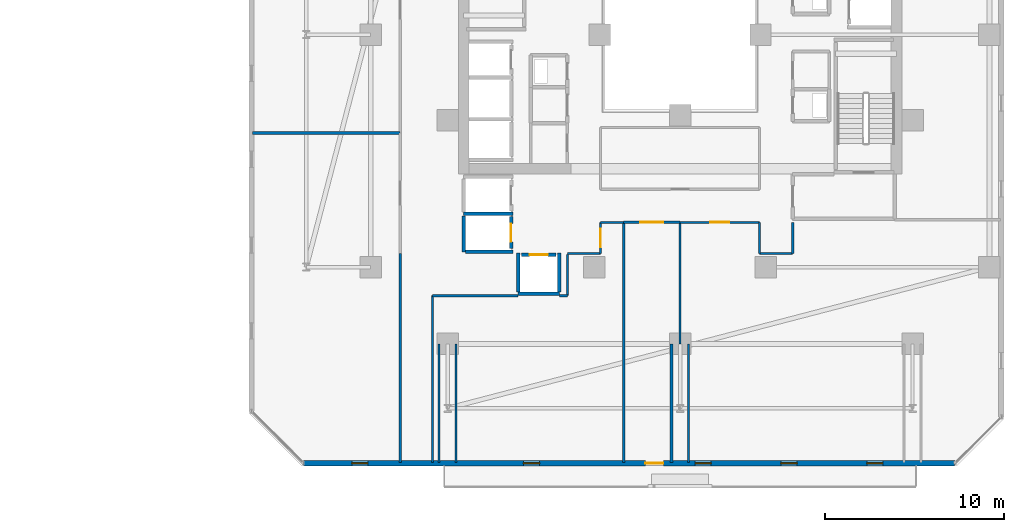
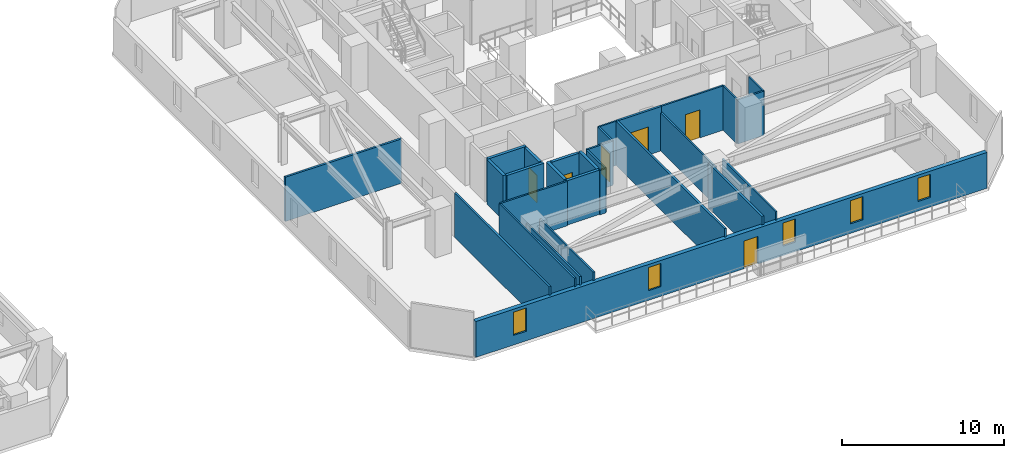
# One storey, part 23 of 33: 29 walls, 6 doors, 5 windows, 11 openings.
"""IFC4 building model written with IfcOpenShell, lengths in metres."""

from ifc_helpers import new_model, si_unit, direction, frame, frame_2d, origin, place, context, subcontext, project, spatial, rectangle, extrude, material, layer, layer_set, type_object, element, fill, save


model = new_model("IFC4")

# Units and contexts
model_context = context("Model", 3, precision=1e-05, world=origin(), true_north=direction((0.0, 1.0)))
body_context = subcontext(model_context, "Body", "Model", "MODEL_VIEW")
ifc_project = project(units=[si_unit("LENGTHUNIT", "METRE"), si_unit("AREAUNIT", "SQUARE_METRE"), si_unit("VOLUMEUNIT", "CUBIC_METRE"), si_unit("PLANEANGLEUNIT", "RADIAN"), si_unit("MASSUNIT", "GRAM", prefix="KILO")], contexts=[model_context])

# Site, building, storey
site_placement = place(None, origin())
site = spatial("IfcSite", under=ifc_project, at=site_placement, CompositionType="ELEMENT")
building_placement = place(site_placement, origin())
building = spatial("IfcBuilding", under=site, at=building_placement, Name="Thornwick Lancets Civic Towers", CompositionType="ELEMENT")
storey_placement = place(building_placement, frame((0.0, 0.0, 112.5)))
storey = spatial("IfcBuildingStorey", under=building, at=storey_placement, Name="L29", CompositionType="ELEMENT", Elevation=112.5)

# Wall, opening, door
ifc_material_1 = material(Name="Concrete blockwork C40/50", Category="masonry")
ifc_layer_1 = layer(ifc_material_1, 0.199951171875, Name="Concrete blockwork C40/50")
ifc_layer_set_1 = layer_set([ifc_layer_1], Name="Concrete blockwork C40/50")
wall_type_1 = type_object("IfcWallType", Name="WALL_COMP_200", PredefinedType="STANDARD", material=ifc_layer_set_1)
wall_1_placement = place(storey_placement, frame((79.050048828125, 15.030029296875, 0.0), z_axis=(0.0, 0.0, 1.0), x_axis=(0.0, 1.0, 0.0)))
wall_1 = element("IfcWall", 1, at=wall_1_placement, inside=storey, type_object=wall_type_1, Name="L29 Hoistway Front Wall PL-BM2", PredefinedType="STANDARD", context=body_context, shape_type="SweptSolid", body=[
    extrude(rectangle(XDim=1.7900390625, YDim=0.199951171875, at=frame_2d((0.89501953125, 0.0))), origin(), (0.0, 0.0, 1.0), 3.340087890625),
])
opening_1_placement = place(wall_1_placement, frame((0.385009765625, 0.0, 0.0)))
opening_1 = element("IfcOpeningElement", 2, at=opening_1_placement, cuts=wall_1, Name="Opening LD-PL-BM2", PredefinedType="OPENING", context=body_context, shape_type="SweptSolid", body=[
    extrude(rectangle(XDim=1.02001953125, YDim=2.06005859375, at=frame_2d((0.510009765625, 1.030029296875))), frame((0.0, 0.10986328125, 0.0), z_axis=(0.0, -1.0, 0.0), x_axis=(1.0, 0.0, 0.0)), (0.0, 0.0, 1.0), 0.219970703125),
])
ifc_material_2 = material(Name="Brushed bronze stainless steel", Category="steel")
door_type_1 = type_object("IfcDoorType", Name="DOOR_LIFT_SLIDE", OperationType="SLIDING_TO_LEFT", PredefinedType="DOOR", material=ifc_material_2)
door_1_placement = place(opening_1_placement, origin())
door_1 = element("IfcDoor", 3, at=door_1_placement, inside=storey, type_object=door_type_1, Name="L29 Sliding Lift Landing Door LD-PL-BM2", OperationType="SLIDING_TO_LEFT", OverallHeight=2.06005859375, OverallWidth=1.02001953125, PredefinedType="DOOR", context=body_context, shape_type="SweptSolid", body=[
    extrude(rectangle(XDim=1.02001953125, YDim=2.06005859375, at=frame_2d((0.510009765625, 1.030029296875))), frame((0.0, 0.02490234375, 0.0), z_axis=(0.0, -1.0, 0.0), x_axis=(1.0, 0.0, 0.0)), (0.0, 0.0, 1.0), 0.050048828125),
])
fill(opening_1, door_1)

wall_2_placement = place(storey_placement, frame((79.6298828125, 14.699951171875, 0.0), z_axis=(0.0, 0.0, 1.0), x_axis=(1.0, 0.0, 0.0)))
wall_2 = element("IfcWall", 4, at=wall_2_placement, inside=storey, type_object=wall_type_1, Name="L29 Hoistway Front Wall PL-BM3", PredefinedType="STANDARD", context=body_context, shape_type="SweptSolid", body=[
    extrude(rectangle(XDim=1.940185546875, YDim=0.199951171875, at=frame_2d((0.97021484375, 0.0))), origin(), (0.0, 0.0, 1.0), 3.340087890625),
])
opening_2_placement = place(wall_2_placement, frame((0.4599609375, 0.0, 0.0)))
opening_2 = element("IfcOpeningElement", 5, at=opening_2_placement, cuts=wall_2, Name="Opening LD-PL-BM3", PredefinedType="OPENING", context=body_context, shape_type="SweptSolid", body=[
    extrude(rectangle(XDim=1.02001953125, YDim=2.06005859375, at=frame_2d((0.510009765625, 1.030029296875))), frame((0.0, 0.10986328125, 0.0), z_axis=(0.0, -1.0, 0.0), x_axis=(1.0, 0.0, 0.0)), (0.0, 0.0, 1.0), 0.219970703125),
])
door_2_placement = place(opening_2_placement, origin())
door_2 = element("IfcDoor", 6, at=door_2_placement, inside=storey, type_object=door_type_1, Name="L29 Sliding Lift Landing Door LD-PL-BM3", OperationType="SLIDING_TO_LEFT", OverallHeight=2.06005859375, OverallWidth=1.02001953125, PredefinedType="DOOR", context=body_context, shape_type="SweptSolid", body=[
    extrude(rectangle(XDim=1.02001953125, YDim=2.06005859375, at=frame_2d((0.510009765625, 1.030029296875))), frame((0.0, 0.02490234375, 0.0), z_axis=(0.0, -1.0, 0.0), x_axis=(1.0, 0.0, 0.0)), (0.0, 0.0, 1.0), 0.050048828125),
])
fill(opening_2, door_2)

# Walls
wall_3_placement = place(storey_placement, frame((76.402099609375, 16.97509765625, 0.0), z_axis=(0.0, 0.0, 1.0), x_axis=(1.0, 0.0, 0.0)))
element("IfcWall", 7, at=wall_3_placement, inside=storey, type_object=wall_type_1, Name="L29 Hoistway Shaft Wall PL-BM1 S", PredefinedType="STANDARD", context=body_context, shape_type="SweptSolid", body=[
    extrude(rectangle(XDim=2.745849609375, YDim=0.199951171875, at=frame_2d((1.373046875, 0.0))), origin(), (0.0, 0.0, 1.0), 3.340087890625),
])
wall_4_placement = place(storey_placement, frame((76.39990234375, 14.85205078125, 0.0), z_axis=(0.0, 0.0, 1.0), x_axis=(0.0, 1.0, 0.0)))
element("IfcWall", 8, at=wall_4_placement, inside=storey, type_object=wall_type_1, Name="L29 Hoistway Shaft Wall PL-BM1 W", PredefinedType="STANDARD", context=body_context, shape_type="SweptSolid", body=[
    extrude(rectangle(XDim=2.015869140625, YDim=0.199951171875, at=frame_2d((1.0078125, 0.0))), origin(), (0.0, 0.0, 1.0), 3.340087890625),
])
wall_5_placement = place(storey_placement, frame((76.511962890625, 14.85009765625, 0.0), z_axis=(0.0, 0.0, 1.0), x_axis=(1.0, 0.0, 0.0)))
element("IfcWall", 9, at=wall_5_placement, inside=storey, type_object=wall_type_1, Name="L29 Hoistway Shaft Wall PL-BM2 S", PredefinedType="STANDARD", context=body_context, shape_type="SweptSolid", body=[
    extrude(rectangle(XDim=2.635986328125, YDim=0.199951171875, at=frame_2d((1.31787109375, 0.0))), origin(), (0.0, 0.0, 1.0), 3.340087890625),
])
wall_6_placement = place(storey_placement, frame((79.451904296875, 12.5, 0.0), z_axis=(0.0, 0.0, 1.0), x_axis=(1.0, 0.0, 0.0)))
element("IfcWall", 10, at=wall_6_placement, inside=storey, type_object=wall_type_1, Name="L29 Hoistway Shaft Wall PL-BM3 S", PredefinedType="STANDARD", context=body_context, shape_type="SweptSolid", body=[
    extrude(rectangle(XDim=2.296142578125, YDim=0.199951171875, at=frame_2d((1.14794921875, 0.0))), origin(), (0.0, 0.0, 1.0), 3.340087890625),
])
for number, where, z_axis, x_axis, name in (
    (11, (81.75, 12.612060546875, 0.0), (0.0, 0.0, 1.0), (0.0, 1.0, 0.0), "L29 Hoistway Shaft Wall PL-BM3 E"),
    (12, (79.449951171875, 12.612060546875, 0.0), (0.0, 0.0, 1.0), (0.0, 1.0, 0.0), "L29 Hoistway Shaft Wall PL-BM3 W"),
):
    element("IfcWall", number, at=place(storey_placement, frame(where, z_axis=z_axis, x_axis=x_axis)), inside=storey, type_object=wall_type_1, Name=name, PredefinedType="STANDARD", context=body_context, shape_type="SweptSolid", body=[
        extrude(rectangle(XDim=2.18603515625, YDim=0.199951171875, at=frame_2d((1.093017578125, 0.0))), origin(), (0.0, 0.0, 1.0), 3.340087890625),
    ])

# Wall, openings, door, windows
ifc_material_3 = material(Name="Insulated russet terracotta rainscreen on concrete C40/50", Category="masonry")
ifc_layer_2 = layer(ifc_material_3, 0.300048828125, Name="Insulated russet terracotta rainscreen on concrete C40/50")
ifc_layer_set_2 = layer_set([ifc_layer_2], Name="Insulated russet terracotta rainscreen on concrete C40/50")
wall_type_2 = type_object("IfcWallType", Name="WALL_EXT_RUSSET_300", PredefinedType="STANDARD", material=ifc_layer_set_2)
wall_7_placement = place(storey_placement, frame((67.444580078125, 3.036376953125, 0.0), z_axis=(0.0, 0.0, 1.0), x_axis=(0.999999999641, -2.6801568e-05, 0.0)))
wall_7 = element("IfcWall", 13, at=wall_7_placement, inside=storey, type_object=wall_type_2, Name="L29 Tower B Terracotta Facade Wall E0", PredefinedType="STANDARD", context=body_context, shape_type="SweptSolid", body=[
    extrude(rectangle(XDim=36.436767578125, YDim=0.300048828125, at=frame_2d((18.21826171875, 0.0))), origin(), (0.0, 0.0, 1.0), 2.699951171875),
])
opening_3_placement = place(wall_7_placement, frame((19.118408203125, 0.0, 0.0)))
opening_3 = element("IfcOpeningElement", 14, at=opening_3_placement, cuts=wall_7, Name="Opening D-BL-L29-BS", PredefinedType="OPENING", context=body_context, shape_type="SweptSolid", body=[
    extrude(rectangle(XDim=1.0, YDim=2.080078125, at=frame_2d((0.5, 1.0400390625))), frame((0.0, 0.16015625, 0.0), z_axis=(0.0, -1.0, 0.0), x_axis=(1.0, 0.0, 0.0)), (0.0, 0.0, 1.0), 0.320068359375),
])
opening_4_placement = place(wall_7_placement, frame((2.699951171875, 0.0, 0.719970703125)))
opening_4 = element("IfcOpeningElement", 15, at=opening_4_placement, cuts=wall_7, Name="Opening WL-01", PredefinedType="OPENING", context=body_context, shape_type="SweptSolid", body=[
    extrude(rectangle(XDim=0.89990234375, YDim=1.75, at=frame_2d((0.449951171875, 0.875))), frame((0.0, 0.16015625, 0.0), z_axis=(0.0, -1.0, 0.0), x_axis=(1.0, 0.0, 0.0)), (0.0, 0.0, 1.0), 0.320068359375),
])
opening_5_placement = place(wall_7_placement, frame((12.300048828125, 0.0, 0.719970703125)))
opening_5 = element("IfcOpeningElement", 16, at=opening_5_placement, cuts=wall_7, Name="Opening WL-01", PredefinedType="OPENING", context=body_context, shape_type="SweptSolid", body=[
    extrude(rectangle(XDim=0.89990234375, YDim=1.75, at=frame_2d((0.449951171875, 0.875))), frame((0.0, 0.16015625, 0.0), z_axis=(0.0, -1.0, 0.0), x_axis=(1.0, 0.0, 0.0)), (0.0, 0.0, 1.0), 0.320068359375),
])
opening_6_placement = place(wall_7_placement, frame((21.89990234375, 0.0, 0.719970703125)))
opening_6 = element("IfcOpeningElement", 17, at=opening_6_placement, cuts=wall_7, Name="Opening WL-01", PredefinedType="OPENING", context=body_context, shape_type="SweptSolid", body=[
    extrude(rectangle(XDim=0.89990234375, YDim=1.75, at=frame_2d((0.449951171875, 0.875))), frame((0.0, 0.16015625, 0.0), z_axis=(0.0, -1.0, 0.0), x_axis=(1.0, 0.0, 0.0)), (0.0, 0.0, 1.0), 0.320068359375),
])
opening_7_placement = place(wall_7_placement, frame((26.699951171875, 0.0, 0.719970703125)))
opening_7 = element("IfcOpeningElement", 18, at=opening_7_placement, cuts=wall_7, Name="Opening WL-01", PredefinedType="OPENING", context=body_context, shape_type="SweptSolid", body=[
    extrude(rectangle(XDim=0.89990234375, YDim=1.75, at=frame_2d((0.449951171875, 0.875))), frame((0.0, 0.16015625, 0.0), z_axis=(0.0, -1.0, 0.0), x_axis=(1.0, 0.0, 0.0)), (0.0, 0.0, 1.0), 0.320068359375),
])
opening_8_placement = place(wall_7_placement, frame((31.5, 0.0, 0.719970703125)))
opening_8 = element("IfcOpeningElement", 19, at=opening_8_placement, cuts=wall_7, Name="Opening WL-01", PredefinedType="OPENING", context=body_context, shape_type="SweptSolid", body=[
    extrude(rectangle(XDim=0.89990234375, YDim=1.75, at=frame_2d((0.449951171875, 0.875))), frame((0.0, 0.16015625, 0.0), z_axis=(0.0, -1.0, 0.0), x_axis=(1.0, 0.0, 0.0)), (0.0, 0.0, 1.0), 0.320068359375),
])
ifc_material_4 = material(Name="Thermally broken glazed loggia doorset")
door_type_2 = type_object("IfcDoorType", Name="DOOR_BALC_1000", OperationType="NOTDEFINED", PredefinedType="DOOR", material=ifc_material_4)
door_3_placement = place(opening_3_placement, origin())
door_3 = element("IfcDoor", 20, at=door_3_placement, inside=storey, type_object=door_type_2, Name="L29 Tower B Loggia Balcony Door S", OperationType="SINGLE_SWING_RIGHT", OverallHeight=2.080078125, OverallWidth=1.0, PredefinedType="DOOR", context=body_context, shape_type="SweptSolid", body=[
    extrude(rectangle(XDim=1.0, YDim=2.080078125, at=frame_2d((0.5, 1.0400390625))), frame((0.0, 0.02490234375, 0.0), z_axis=(0.0, -1.0, 0.0), x_axis=(1.0, 0.0, 0.0)), (0.0, 0.0, 1.0), 0.050048828125),
])
fill(opening_3, door_3)
ifc_material_5 = material(Name="Clear low-e double glazing in bronze frame", Category="glass")
window_type = type_object("IfcWindowType", Name="WIN_LANCET_900", PartitioningType="SINGLE_PANEL", PredefinedType="WINDOW", material=ifc_material_5)
window_1_placement = place(opening_4_placement, origin())
window_1 = element("IfcWindow", 21, at=window_1_placement, inside=storey, type_object=window_type, Name="L29 Tower B Staggered Lancet Window E0-1", OverallHeight=1.75, OverallWidth=0.89990234375, PartitioningType="SINGLE_PANEL", PredefinedType="WINDOW", context=body_context, shape_type="SweptSolid", body=[
    extrude(rectangle(XDim=0.89990234375, YDim=1.75, at=frame_2d((0.449951171875, 0.875))), frame((0.0, 0.030029296875, 0.0), z_axis=(0.0, -1.0, 0.0), x_axis=(1.0, 0.0, 0.0)), (0.0, 0.0, 1.0), 0.06005859375),
])
fill(opening_4, window_1)
window_2_placement = place(opening_5_placement, origin())
window_2 = element("IfcWindow", 22, at=window_2_placement, inside=storey, type_object=window_type, Name="L29 Tower B Staggered Lancet Window E0-2", OverallHeight=1.75, OverallWidth=0.89990234375, PartitioningType="SINGLE_PANEL", PredefinedType="WINDOW", context=body_context, shape_type="SweptSolid", body=[
    extrude(rectangle(XDim=0.89990234375, YDim=1.75, at=frame_2d((0.449951171875, 0.875))), frame((0.0, 0.030029296875, 0.0), z_axis=(0.0, -1.0, 0.0), x_axis=(1.0, 0.0, 0.0)), (0.0, 0.0, 1.0), 0.06005859375),
])
fill(opening_5, window_2)
window_3_placement = place(opening_6_placement, origin())
window_3 = element("IfcWindow", 23, at=window_3_placement, inside=storey, type_object=window_type, Name="L29 Tower B Staggered Lancet Window E0-3", OverallHeight=1.75, OverallWidth=0.89990234375, PartitioningType="SINGLE_PANEL", PredefinedType="WINDOW", context=body_context, shape_type="SweptSolid", body=[
    extrude(rectangle(XDim=0.89990234375, YDim=1.75, at=frame_2d((0.449951171875, 0.875))), frame((0.0, 0.030029296875, 0.0), z_axis=(0.0, -1.0, 0.0), x_axis=(1.0, 0.0, 0.0)), (0.0, 0.0, 1.0), 0.06005859375),
])
fill(opening_6, window_3)
window_4_placement = place(opening_7_placement, origin())
window_4 = element("IfcWindow", 24, at=window_4_placement, inside=storey, type_object=window_type, Name="L29 Tower B Staggered Lancet Window E0-4", OverallHeight=1.75, OverallWidth=0.89990234375, PartitioningType="SINGLE_PANEL", PredefinedType="WINDOW", context=body_context, shape_type="SweptSolid", body=[
    extrude(rectangle(XDim=0.89990234375, YDim=1.75, at=frame_2d((0.449951171875, 0.875))), frame((0.0, 0.030029296875, 0.0), z_axis=(0.0, -1.0, 0.0), x_axis=(1.0, 0.0, 0.0)), (0.0, 0.0, 1.0), 0.06005859375),
])
fill(opening_7, window_4)
window_5_placement = place(opening_8_placement, origin())
window_5 = element("IfcWindow", 25, at=window_5_placement, inside=storey, type_object=window_type, Name="L29 Tower B Staggered Lancet Window E0-5", OverallHeight=1.75, OverallWidth=0.89990234375, PartitioningType="SINGLE_PANEL", PredefinedType="WINDOW", context=body_context, shape_type="SweptSolid", body=[
    extrude(rectangle(XDim=0.89990234375, YDim=1.75, at=frame_2d((0.449951171875, 0.875))), frame((0.0, 0.030029296875, 0.0), z_axis=(0.0, -1.0, 0.0), x_axis=(1.0, 0.0, 0.0)), (0.0, 0.0, 1.0), 0.06005859375),
])
fill(opening_8, window_5)

# Walls
ifc_material_6 = material(Name="Acoustic gypsum board partition")
ifc_layer_3 = layer(ifc_material_6, 0.1201171875, Name="Acoustic gypsum board partition")
ifc_layer_set_3 = layer_set([ifc_layer_3], Name="Acoustic gypsum board partition")
wall_type_3 = type_object("IfcWallType", Name="WALL_PART_120", PredefinedType="PARTITIONING", material=ifc_layer_set_3)
wall_8_placement = place(storey_placement, frame((92.949951171875, 16.5, 0.0), z_axis=(0.0, 0.0, 1.0), x_axis=(0.0, -1.0, 0.0)))
element("IfcWall", 26, at=wall_8_placement, inside=storey, type_object=wall_type_3, Name="L29 Partition L29-B-W1 E1", PredefinedType="PARTITIONING", context=body_context, shape_type="SweptSolid", body=[
    extrude(rectangle(XDim=1.75, YDim=0.1201171875, at=frame_2d((0.875, 0.0))), origin(), (0.0, 0.0, 1.0), 3.340087890625),
])
wall_9_placement = place(storey_placement, frame((92.949951171875, 14.75, 0.0), z_axis=(0.0, 0.0, 1.0), x_axis=(1.0, 0.0, 0.0)))
element("IfcWall", 27, at=wall_9_placement, inside=storey, type_object=wall_type_3, Name="L29 Partition L29-B-W1 E2", PredefinedType="PARTITIONING", context=body_context, shape_type="SweptSolid", body=[
    extrude(rectangle(XDim=1.85009765625, YDim=0.1201171875, at=frame_2d((0.925048828125, 0.0))), origin(), (0.0, 0.0, 1.0), 3.340087890625),
])
wall_10_placement = place(storey_placement, frame((94.800048828125, 14.75, 0.0), z_axis=(0.0, 0.0, 1.0), x_axis=(0.0, 1.0, 0.0)))
element("IfcWall", 28, at=wall_10_placement, inside=storey, type_object=wall_type_3, Name="L29 Partition L29-B-W1 E3", PredefinedType="PARTITIONING", context=body_context, shape_type="SweptSolid", body=[
    extrude(rectangle(XDim=1.75, YDim=0.1201171875, at=frame_2d((0.875, 0.0))), origin(), (0.0, 0.0, 1.0), 3.340087890625),
])
wall_11_placement = place(storey_placement, frame((88.97998046875, 3.080078125, 0.0), z_axis=(0.0, 0.0, 1.0), x_axis=(0.0, 1.0, 0.0)))
element("IfcWall", 29, at=wall_11_placement, inside=storey, type_object=wall_type_3, Name="L29 Partition L29-B-W1 E17", PredefinedType="PARTITIONING", context=body_context, shape_type="SweptSolid", body=[
    extrude(rectangle(XDim=6.619873046875, YDim=0.1201171875, at=frame_2d((3.31005859375, 0.0))), origin(), (0.0, 0.0, 1.0), 3.340087890625),
])
wall_12_placement = place(storey_placement, frame((88.5, 9.699951171875, 0.0), z_axis=(0.0, 0.0, 1.0), x_axis=(0.0, 1.0, 0.0)))
element("IfcWall", 30, at=wall_12_placement, inside=storey, type_object=wall_type_3, Name="L29 Partition L29-B-W1 E19", PredefinedType="PARTITIONING", context=body_context, shape_type="SweptSolid", body=[
    extrude(rectangle(XDim=6.800048828125, YDim=0.1201171875, at=frame_2d((3.39990234375, 0.0))), origin(), (0.0, 0.0, 1.0), 2.881591796875),
])

# Wall, opening, door
wall_13_placement = place(storey_placement, frame((88.5, 16.5, 0.0), z_axis=(0.0, 0.0, 1.0), x_axis=(1.0, 0.0, 0.0)))
wall_13 = element("IfcWall", 31, at=wall_13_placement, inside=storey, type_object=wall_type_3, Name="L29 Partition L29-B-W1 E20", PredefinedType="PARTITIONING", context=body_context, shape_type="SweptSolid", body=[
    extrude(rectangle(XDim=4.449951171875, YDim=0.1201171875, at=frame_2d((2.22509765625, 0.0))), origin(), (0.0, 0.0, 1.0), 3.340087890625),
])
opening_9_placement = place(wall_13_placement, frame((1.699951171875, 0.0, 0.0)))
opening_9 = element("IfcOpeningElement", 32, at=opening_9_placement, cuts=wall_13, Name="Opening D-L29-1354", PredefinedType="OPENING", context=body_context, shape_type="SweptSolid", body=[
    extrude(rectangle(XDim=1.050048828125, YDim=2.10009765625, at=frame_2d((0.52490234375, 1.050048828125))), frame((0.0, 0.070068359375, 0.0), z_axis=(0.0, -1.0, 0.0), x_axis=(1.0, 0.0, 0.0)), (0.0, 0.0, 1.0), 0.14013671875),
])
ifc_material_7 = material(Name="Glazed European oak executive doorset")
door_type_3 = type_object("IfcDoorType", Name="DOOR_OFFICE_1050", OperationType="NOTDEFINED", PredefinedType="DOOR", material=ifc_material_7)
door_4_placement = place(opening_9_placement, origin())
door_4 = element("IfcDoor", 33, at=door_4_placement, inside=storey, type_object=door_type_3, Name="L29 Tower B Ministry Directorate Office W1 Door", OperationType="SINGLE_SWING_LEFT", OverallHeight=2.10009765625, OverallWidth=1.050048828125, PredefinedType="DOOR", context=body_context, shape_type="SweptSolid", body=[
    extrude(rectangle(XDim=1.050048828125, YDim=2.10009765625, at=frame_2d((0.52490234375, 1.050048828125))), frame((0.0, 0.02490234375, 0.0), z_axis=(0.0, -1.0, 0.0), x_axis=(1.0, 0.0, 0.0)), (0.0, 0.0, 1.0), 0.050048828125),
])
fill(opening_9, door_4)

# Walls
wall_14_placement = place(storey_placement, frame((82.199951171875, 12.39990234375, 0.0), z_axis=(0.0, 0.0, 1.0), x_axis=(0.0, 1.0, 0.0)))
element("IfcWall", 34, at=wall_14_placement, inside=storey, type_object=wall_type_3, Name="L29 Partition L29-B-W3 E1", PredefinedType="PARTITIONING", context=body_context, shape_type="SweptSolid", body=[
    extrude(rectangle(XDim=2.300048828125, YDim=0.1201171875, at=frame_2d((1.14990234375, 0.0))), origin(), (0.0, 0.0, 1.0), 3.340087890625),
])
wall_15_placement = place(storey_placement, frame((82.199951171875, 14.75, 0.0), z_axis=(0.0, 0.0, 1.0), x_axis=(1.0, 0.0, 0.0)))
element("IfcWall", 35, at=wall_15_placement, inside=storey, type_object=wall_type_3, Name="L29 Partition L29-B-W3 E3", PredefinedType="PARTITIONING", context=body_context, shape_type="SweptSolid", body=[
    extrude(rectangle(XDim=1.85009765625, YDim=0.1201171875, at=frame_2d((0.925048828125, 0.0))), origin(), (0.0, 0.0, 1.0), 3.340087890625),
])

# Wall, opening, door
wall_16_placement = place(storey_placement, frame((84.050048828125, 14.75, 0.0), z_axis=(0.0, 0.0, 1.0), x_axis=(0.0, 1.0, 0.0)))
wall_16 = element("IfcWall", 36, at=wall_16_placement, inside=storey, type_object=wall_type_3, Name="L29 Partition L29-B-W3 E4", PredefinedType="PARTITIONING", context=body_context, shape_type="SweptSolid", body=[
    extrude(rectangle(XDim=1.75, YDim=0.1201171875, at=frame_2d((0.875, 0.0))), origin(), (0.0, 0.0, 1.0), 3.340087890625),
])
opening_10_placement = place(wall_16_placement, frame((0.35009765625, 0.0, 0.0)))
opening_10 = element("IfcOpeningElement", 37, at=opening_10_placement, cuts=wall_16, Name="Opening D-L29-1356", PredefinedType="OPENING", context=body_context, shape_type="SweptSolid", body=[
    extrude(rectangle(XDim=1.050048828125, YDim=2.10009765625, at=frame_2d((0.52490234375, 1.050048828125))), frame((0.0, 0.070068359375, 0.0), z_axis=(0.0, -1.0, 0.0), x_axis=(1.0, 0.0, 0.0)), (0.0, 0.0, 1.0), 0.14013671875),
])
door_5_placement = place(opening_10_placement, origin())
door_5 = element("IfcDoor", 38, at=door_5_placement, inside=storey, type_object=door_type_3, Name="L29 Tower B Staff Tea Pantry and Lounge Door", OperationType="SINGLE_SWING_LEFT", OverallHeight=2.10009765625, OverallWidth=1.050048828125, PredefinedType="DOOR", context=body_context, shape_type="SweptSolid", body=[
    extrude(rectangle(XDim=1.050048828125, YDim=2.10009765625, at=frame_2d((0.52490234375, 1.050048828125))), frame((0.0, 0.02490234375, 0.0), z_axis=(0.0, -1.0, 0.0), x_axis=(1.0, 0.0, 0.0)), (0.0, 0.0, 1.0), 0.050048828125),
])
fill(opening_10, door_5)

# Walls
wall_17_placement = place(storey_placement, frame((84.050048828125, 16.5, 0.0), z_axis=(0.0, 0.0, 1.0), x_axis=(1.0, 0.0, 0.0)))
element("IfcWall", 39, at=wall_17_placement, inside=storey, type_object=wall_type_3, Name="L29 Partition L29-B-W3 E5", PredefinedType="PARTITIONING", context=body_context, shape_type="SweptSolid", body=[
    extrude(rectangle(XDim=1.300048828125, YDim=0.1201171875, at=frame_2d((0.64990234375, 0.0))), origin(), (0.0, 0.0, 1.0), 3.340087890625),
])
for number, where, z_axis, x_axis, name in (
    (40, (75.97998046875, 3.080078125, 0.0), (0.0, 0.0, 1.0), (0.0, 1.0, 0.0), "L29 Partition L29-B-W3 E8"),
    (41, (75.02001953125, 9.699951171875, 0.0), (0.0, 0.0, 1.0), (0.0, -1.0, 0.0), "L29 Partition L29-B-W3 E10"),
):
    element("IfcWall", number, at=place(storey_placement, frame(where, z_axis=z_axis, x_axis=x_axis)), inside=storey, type_object=wall_type_3, Name=name, PredefinedType="PARTITIONING", context=body_context, shape_type="SweptSolid", body=[
        extrude(rectangle(XDim=6.619873046875, YDim=0.1201171875, at=frame_2d((3.31005859375, 0.0))), origin(), (0.0, 0.0, 1.0), 3.340087890625),
    ])
wall_18_placement = place(storey_placement, frame((74.64990234375, 3.080078125, 0.0), z_axis=(0.0, 0.0, 1.0), x_axis=(0.0, 1.0, 0.0)))
element("IfcWall", 42, at=wall_18_placement, inside=storey, type_object=wall_type_3, Name="L29 Partition L29-B-W3 E12", PredefinedType="PARTITIONING", context=body_context, shape_type="SweptSolid", body=[
    extrude(rectangle(XDim=9.31982421875, YDim=0.1201171875, at=frame_2d((4.659912109375, 0.0))), origin(), (0.0, 0.0, 1.0), 3.340087890625),
])
wall_19_placement = place(storey_placement, frame((74.64990234375, 12.39990234375, 0.0), z_axis=(0.0, 0.0, 1.0), x_axis=(1.0, 0.0, 0.0)))
element("IfcWall", 43, at=wall_19_placement, inside=storey, type_object=wall_type_3, Name="L29 Partition L29-B-W3 E13", PredefinedType="PARTITIONING", context=body_context, shape_type="SweptSolid", body=[
    extrude(rectangle(XDim=4.802001953125, YDim=0.1201171875, at=frame_2d((2.40087890625, 0.0))), origin(), (0.0, 0.0, 1.0), 3.340087890625),
])
wall_20_placement = place(storey_placement, frame((81.748046875, 12.39990234375, 0.0), z_axis=(0.0, 0.0, 1.0), x_axis=(1.0, 0.0, 0.0)))
element("IfcWall", 44, at=wall_20_placement, inside=storey, type_object=wall_type_3, Name="L29 Partition L29-B-W3 E13", PredefinedType="PARTITIONING", context=body_context, shape_type="SweptSolid", body=[
    extrude(rectangle(XDim=0.451904296875, YDim=0.1201171875, at=frame_2d((0.22607421875, 0.0))), origin(), (0.0, 0.0, 1.0), 3.340087890625),
])
ifc_material_8 = material(Name="Twin-stud acoustic gypsum board")
ifc_layer_4 = layer(ifc_material_8, 0.14990234375, Name="Twin-stud acoustic gypsum board")
ifc_layer_set_4 = layer_set([ifc_layer_4], Name="Twin-stud acoustic gypsum board")
wall_type_4 = type_object("IfcWallType", Name="WALL_PART_150", PredefinedType="PARTITIONING", material=ifc_layer_set_4)
wall_21_placement = place(storey_placement, frame((88.02001953125, 9.699951171875, 0.0), z_axis=(0.0, 0.0, 1.0), x_axis=(0.0, -1.0, 0.0)))
element("IfcWall", 45, at=wall_21_placement, inside=storey, type_object=wall_type_4, Name="L29 Partition L29-B-W2 E3", PredefinedType="PARTITIONING", context=body_context, shape_type="SweptSolid", body=[
    extrude(rectangle(XDim=6.619873046875, YDim=0.14990234375, at=frame_2d((3.31005859375, 0.0))), origin(), (0.0, 0.0, 1.0), 3.340087890625),
])
wall_22_placement = place(storey_placement, frame((85.35009765625, 3.080078125, 0.0), z_axis=(0.0, 0.0, 1.0), x_axis=(0.0, 1.0, 0.0)))
element("IfcWall", 46, at=wall_22_placement, inside=storey, type_object=wall_type_4, Name="L29 Partition L29-B-W2 E5", PredefinedType="PARTITIONING", context=body_context, shape_type="SweptSolid", body=[
    extrude(rectangle(XDim=13.419921875, YDim=0.14990234375, at=frame_2d((6.7099609375, 0.0))), origin(), (0.0, 0.0, 1.0), 3.340087890625),
])

# Wall, opening, door
wall_23_placement = place(storey_placement, frame((85.35009765625, 16.5, 0.0), z_axis=(0.0, 0.0, 1.0), x_axis=(1.0, 0.0, 0.0)))
wall_23 = element("IfcWall", 47, at=wall_23_placement, inside=storey, type_object=wall_type_4, Name="L29 Partition L29-B-W2 E6", PredefinedType="PARTITIONING", context=body_context, shape_type="SweptSolid", body=[
    extrude(rectangle(XDim=3.14990234375, YDim=0.14990234375, at=frame_2d((1.574951171875, 0.0))), origin(), (0.0, 0.0, 1.0), 3.340087890625),
])
opening_11_placement = place(wall_23_placement, frame((0.925048828125, 0.0, 0.0)))
opening_11 = element("IfcOpeningElement", 48, at=opening_11_placement, cuts=wall_23, Name="Opening D-L29-1355", PredefinedType="OPENING", context=body_context, shape_type="SweptSolid", body=[
    extrude(rectangle(XDim=1.300048828125, YDim=2.1201171875, at=frame_2d((0.64990234375, 1.06005859375))), frame((0.0, 0.0849609375, 0.0), z_axis=(0.0, -1.0, 0.0), x_axis=(1.0, 0.0, 0.0)), (0.0, 0.0, 1.0), 0.169921875),
])
ifc_material_9 = material(Name="Acoustic oak leaf-and-a-half doorset")
door_type_4 = type_object("IfcDoorType", Name="DOOR_MEET_1300", OperationType="DOUBLE_DOOR_SINGLE_SWING", PredefinedType="DOOR", material=ifc_material_9)
door_6_placement = place(opening_11_placement, origin())
door_6 = element("IfcDoor", 49, at=door_6_placement, inside=storey, type_object=door_type_4, Name="L29 Tower B Policy Briefing Room W2 Door", OperationType="DOUBLE_DOOR_SINGLE_SWING", OverallHeight=2.1201171875, OverallWidth=1.300048828125, PredefinedType="DOOR", context=body_context, shape_type="SweptSolid", body=[
    extrude(rectangle(XDim=1.300048828125, YDim=2.1201171875, at=frame_2d((0.64990234375, 1.06005859375))), frame((0.0, 0.02490234375, 0.0), z_axis=(0.0, -1.0, 0.0), x_axis=(1.0, 0.0, 0.0)), (0.0, 0.0, 1.0), 0.050048828125),
])
fill(opening_11, door_6)

# Walls
wall_24_placement = place(storey_placement, frame((72.85009765625, 14.75, 0.0), z_axis=(0.0, 0.0, 1.0), x_axis=(0.0, -1.0, 0.0)))
element("IfcWall", 50, at=wall_24_placement, inside=storey, type_object=wall_type_4, Name="L29 Partition L29-B-N-CONF E1", PredefinedType="PARTITIONING", context=body_context, shape_type="SweptSolid", body=[
    extrude(rectangle(XDim=11.669921875, YDim=0.14990234375, at=frame_2d((5.8349609375, 0.0))), origin(), (0.0, 0.0, 1.0), 3.340087890625),
])
wall_25_placement = place(storey_placement, frame((64.580078125, 21.5, 0.0), z_axis=(0.0, 0.0, 1.0), x_axis=(1.0, 0.0, 0.0)))
element("IfcWall", 51, at=wall_25_placement, inside=storey, type_object=wall_type_4, Name="L29 Partition L29-B-N-CONF E5", PredefinedType="PARTITIONING", context=body_context, shape_type="SweptSolid", body=[
    extrude(rectangle(XDim=8.27001953125, YDim=0.14990234375, at=frame_2d((4.135009765625, 0.0))), origin(), (0.0, 0.0, 1.0), 3.340087890625),
])

save(model, "model.ifc")
